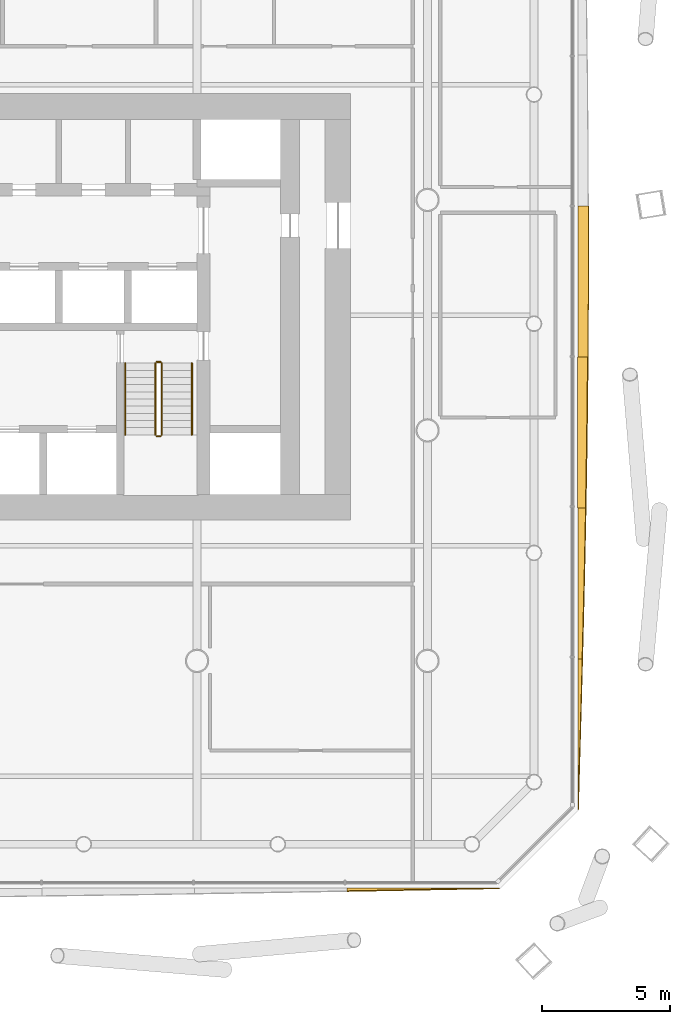
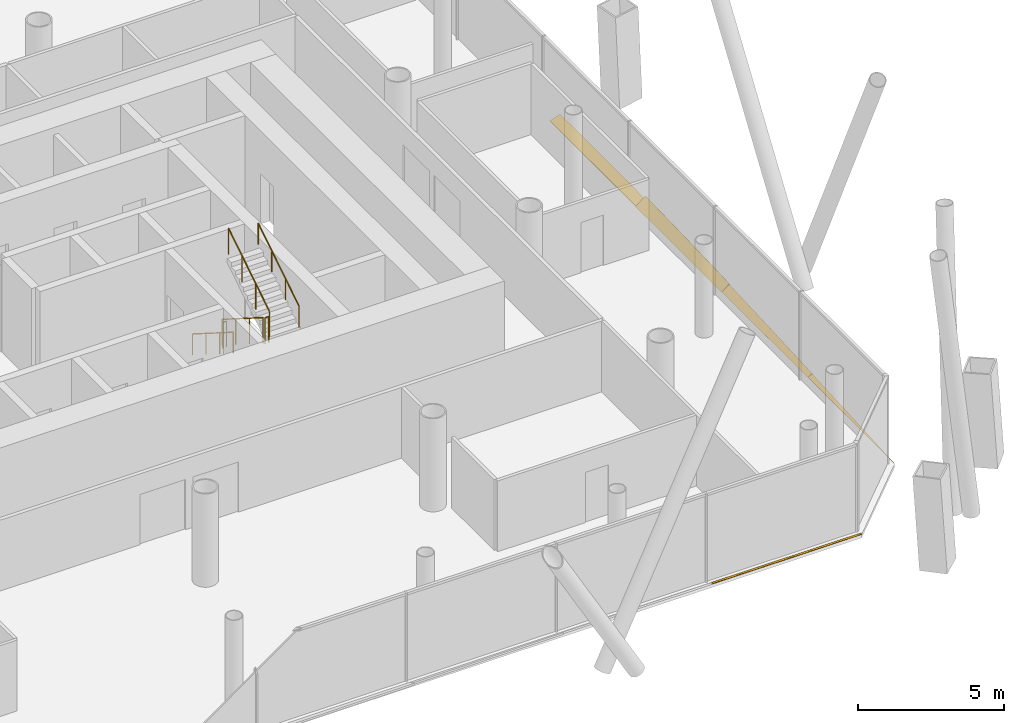
# One storey, part 23 of 25: 6 railings, 5 shading devices.
"""IFC4 building model written with IfcOpenShell, lengths in metres."""

from ifc_helpers import new_model, si_unit, direction, frame, origin, origin_2d, place, context, subcontext, project, spatial, polyline, circle, outline, extrude, material, layer, layer_set, type_object, element, save


model = new_model("IFC4")

# Units and contexts
model_context = context("Model", 3, precision=1e-05, world=origin(), true_north=direction((0.0, 1.0)))
body_context = subcontext(model_context, "Body", "Model", "MODEL_VIEW")
ifc_project = project(units=[si_unit("LENGTHUNIT", "METRE"), si_unit("AREAUNIT", "SQUARE_METRE"), si_unit("VOLUMEUNIT", "CUBIC_METRE"), si_unit("PLANEANGLEUNIT", "RADIAN"), si_unit("MASSUNIT", "GRAM", prefix="KILO")], contexts=[model_context])

# Site, building, storey
site_placement = place(None, origin())
site = spatial("IfcSite", under=ifc_project, at=site_placement, CompositionType="ELEMENT")
building_placement = place(site_placement, origin())
building = spatial("IfcBuilding", under=site, at=building_placement, Name="Tskaro Facet Tower", CompositionType="ELEMENT")
storey_placement = place(building_placement, frame((0.0, 0.0, 34.199951171875)))
storey = spatial("IfcBuildingStorey", under=building, at=storey_placement, Name="L07", CompositionType="ELEMENT", Elevation=34.199951171875)

# Shading devices
ifc_material_1 = material(Name="Bronze anodised aluminium 6063-T6", Category="aluminium")
ifc_layer = layer(ifc_material_1, 0.06005859375, Name="Bronze anodised aluminium 6063-T6")
ifc_layer_set = layer_set([ifc_layer], Name="Bronze anodised aluminium 6063-T6")
shading_device_type = type_object("IfcShadingDeviceType", Name="Bronze sun blade (FN1)", PredefinedType="USERDEFINED", material=ifc_layer_set)
shading_device_1_placement = place(storey_placement, frame((14.86279296875, -26.865478515625, 0.0458984375), z_axis=(-1.6836306e-05, 0.644193813469, 0.764862295061), x_axis=(0.999999999858, 1.0845844e-05, 1.2877455e-05)))
element("IfcShadingDevice", 1, at=shading_device_1_placement, inside=storey, type_object=shading_device_type, Name="Fin blade south 8", ObjectType="FIN", PredefinedType="USERDEFINED", context=body_context, shape_type="SweptSolid", body=[
    extrude(outline(polyline([(0.0, 0.0), (5.954101561656121, 0.0), (5.2099609398822455, -0.01835025578346356), (4.465576171691583, -0.03672997164544494), (3.7214355467737974, -0.05492295354864484), (2.9770507812310454, -0.07311593545184475), (2.2329101531693496, -0.091151643474781), (1.488525390274509, -0.1091578914191994), (0.7441406242357589, -0.12700686548335416), (-1.674024826572787e-09, -0.1445118317084638), (0.0, 0.0)])), origin(), (0.0, 0.0, -1.0), 0.06005859375),
])
shading_device_2_placement = place(storey_placement, frame((23.8740234375, -23.81689453125, 0.052001953125), z_axis=(-0.500206417645, 1.2374791e-05, 0.865906195609), x_axis=(6.18995e-06, 0.999999999923, -1.0715408e-05)))
element("IfcShadingDevice", 2, at=shading_device_2_placement, inside=storey, type_object=shading_device_type, Name="Fin blade east 1", ObjectType="FIN", PredefinedType="USERDEFINED", context=body_context, shape_type="SweptSolid", body=[
    extrude(outline(polyline([(0.0, 0.0), (5.894287108923688, 0.0), (5.894287109834925, -0.18999049618256553), (5.157470703082939, -0.16746071325594541), (4.420654295924585, -0.14438600386227615), (3.6838378898710777, -0.12097777088136119), (2.9472656255474, -0.09723601431320054), (2.2104492175763046, -0.07307145198543294), (1.4736328122212758, -0.04878476895022312), (0.736816406866247, -0.024498085915013297), (0.0, 0.0)])), origin(), (0.0, 0.0, -1.0), 0.06005859375),
])
shading_device_3_placement = place(storey_placement, frame((23.86962890625, -17.922607421875, 0.04931640625), z_axis=(-0.573398174341, -1.4185657e-05, 0.819276835668), x_axis=(-8.13403e-06, 0.999999999899, 1.162198e-05)))
element("IfcShadingDevice", 3, at=shading_device_3_placement, inside=storey, type_object=shading_device_type, Name="Fin blade east 2", ObjectType="FIN", PredefinedType="USERDEFINED", context=body_context, shape_type="SweptSolid", body=[
    extrude(outline(polyline([(0.0, 0.0), (5.8945312494069135, 0.0), (5.894531251231244, -0.3651342181219761), (5.157714843901214, -0.3477935487802193), (4.420898436002383, -0.3292328350375358), (3.684082031223694, -0.3099320752299967), (2.947265623890354, -0.28961128978025913), (2.2104492168397605, -0.26841046847699446), (1.4736328129093108, -0.24646960110887417), (0.7368164072757605, -0.22384871664595485), (-6.0890728579639e-11, -0.2005478150882365), (0.0, 0.0)])), origin(), (0.0, 0.0, -1.0), 0.06005859375),
])
shading_device_4_placement = place(storey_placement, frame((23.865478515625, -12.028076171875, 0.0458984375), z_axis=(-0.642968589847, -1.314605e-06, 0.765892546294), x_axis=(-8.45249e-07, 0.999999999999, 1.006846e-06)))
element("IfcShadingDevice", 4, at=shading_device_4_placement, inside=storey, type_object=shading_device_type, Name="Fin blade east 3", ObjectType="FIN", PredefinedType="USERDEFINED", context=body_context, shape_type="SweptSolid", body=[
    extrude(outline(polyline([(0.0, 0.0), (5.894531249994906, 0.0), (5.894531250135966, -0.49577145698945996), (5.1577148435982805, -0.48729941505338814), (4.420898437354957, -0.47742152143249816), (3.684082031405997, -0.46613777612678997), (2.9472656248470557, -0.4535082005993726), (2.21044921882829, -0.4396297481405178), (1.4736328124453544, -0.42456244021333445), (0.7368164063567822, -0.408089280601333), (1.4985323284661177e-10, -0.39058424027438376), (0.0, 0.0)])), origin(), (0.0, 0.0, -1.0), 0.06005859375),
])
shading_device_5_placement = place(storey_placement, frame((23.883544921875, -6.133544921875, 0.056396484375), z_axis=(-0.342148670764, -1.3658664e-05, 0.93964583057), x_axis=(-4.673294e-06, 0.999999999907, 1.2834307e-05)))
element("IfcShadingDevice", 5, at=shading_device_5_placement, inside=storey, type_object=shading_device_type, Name="Fin blade east 4", ObjectType="FIN", PredefinedType="USERDEFINED", context=body_context, shape_type="SweptSolid", body=[
    extrude(outline(polyline([(0.0, 0.0), (5.894531249450161, 0.0), (5.894531250975403, -0.4178343790976929), (5.157714841933357, -0.41983668964135834), (4.420898437455075, -0.42092137730352225), (3.9140625000023532, -0.42092137730352225), (3.684082031273806, -0.42092137730352225), (2.947265626522923, -0.4199202220316895), (2.210449216935677, -0.4177508467073618), (1.4736328130531353, -0.414434442781157), (0.736816405475171, -0.40972041308208174), (-6.724055657367013e-10, -0.40400522811117384), (0.0, 0.0)])), origin(), (0.0, 0.0, -1.0), 0.06005859375),
])

# Railings
ifc_material_2 = material(Name="Stainless steel", Category="steel")
railing_type_1 = type_object("IfcRailingType", Name="RL-GUARD-1100", PredefinedType="GUARDRAIL", material=ifc_material_2)
railing_1_placement = place(storey_placement, frame((7.375, -6.375, 0.17724609375)))
element("IfcRailing", 6, at=railing_1_placement, inside=storey, type_object=railing_type_1, Name="L07 ST-2 stair guard 1", PredefinedType="GUARDRAIL", context=body_context, shape_type="SweptSolid", body=[
    extrude(circle(Radius=0.02392578125, at=origin_2d()), frame((0.0, 0.0, 1.076171875), z_axis=(0.0, -0.844908973607, 0.534910110503), x_axis=(1.0, 0.0, 0.0)), (0.0, 0.0, 1.0), 3.31396484375),
    extrude(circle(Radius=0.02099609375, at=origin_2d()), origin(), (0.0, 0.0, 1.0), 1.052001953125),
    extrude(circle(Radius=0.02099609375, at=origin_2d()), frame((0.0, -0.933349609375, 0.5908203125)), (0.0, 0.0, 1.0), 1.052001953125),
    extrude(circle(Radius=0.02099609375, at=origin_2d()), frame((0.0, -1.86669921875, 1.181884765625)), (0.0, 0.0, 1.0), 1.052001953125),
    extrude(circle(Radius=0.02099609375, at=origin_2d()), frame((0.0, -2.800048828125, 1.772705078125)), (0.0, 0.0, 1.0), 1.052001953125),
])
railing_2_placement = place(storey_placement, frame((7.425048828125, -9.22509765625, 1.949951171875)))
element("IfcRailing", 7, at=railing_2_placement, inside=storey, type_object=railing_type_1, Name="L07 ST-2 stair guard 2", PredefinedType="GUARDRAIL", context=body_context, shape_type="SweptSolid", body=[
    extrude(circle(Radius=0.02392578125, at=origin_2d()), frame((0.0, 0.0, 1.076171875), z_axis=(1.0, 0.0, 0.0), x_axis=(0.0, 1.0, 0.0)), (0.0, 0.0, 1.0), 0.14990234375),
    extrude(circle(Radius=0.02099609375, at=origin_2d()), origin(), (0.0, 0.0, 1.0), 1.052001953125),
    extrude(circle(Radius=0.02099609375, at=origin_2d()), frame((0.14990234375, 0.0, 0.0)), (0.0, 0.0, 1.0), 1.052001953125),
])
railing_3_placement = place(storey_placement, frame((7.625, -9.175048828125, 2.12744140625)))
element("IfcRailing", 8, at=railing_3_placement, inside=storey, type_object=railing_type_1, Name="L07 ST-2 stair guard 3", PredefinedType="GUARDRAIL", context=body_context, shape_type="SweptSolid", body=[
    extrude(circle(Radius=0.02392578125, at=origin_2d()), frame((0.0, 0.0, 1.076171875), z_axis=(0.0, 0.844908973607, 0.534910110503), x_axis=(-1.0, 0.0, 0.0)), (0.0, 0.0, 1.0), 3.31396484375),
    extrude(circle(Radius=0.02099609375, at=origin_2d()), origin(), (0.0, 0.0, 1.0), 1.052001953125),
    extrude(circle(Radius=0.02099609375, at=origin_2d()), frame((0.0, 0.933349609375, 0.5908203125)), (0.0, 0.0, 1.0), 1.052001953125),
    extrude(circle(Radius=0.02099609375, at=origin_2d()), frame((0.0, 1.86669921875, 1.181884765625)), (0.0, 0.0, 1.0), 1.052001953125),
    extrude(circle(Radius=0.02099609375, at=origin_2d()), frame((0.0, 2.800048828125, 1.772705078125)), (0.0, 0.0, 1.0), 1.052001953125),
])
railing_4_placement = place(storey_placement, frame((7.425048828125, -6.324951171875, 0.0)))
element("IfcRailing", 9, at=railing_4_placement, inside=storey, type_object=railing_type_1, Name="L07 ST-2 stair guard 4", PredefinedType="GUARDRAIL", context=body_context, shape_type="SweptSolid", body=[
    extrude(circle(Radius=0.02392578125, at=origin_2d()), frame((0.0, 0.0, 1.076171875), z_axis=(1.0, 0.0, 0.0), x_axis=(0.0, 1.0, 0.0)), (0.0, 0.0, 1.0), 0.14990234375),
    extrude(circle(Radius=0.02099609375, at=origin_2d()), origin(), (0.0, 0.0, 1.0), 1.052001953125),
    extrude(circle(Radius=0.02099609375, at=origin_2d()), frame((0.14990234375, 0.0, 0.0)), (0.0, 0.0, 1.0), 1.052001953125),
])
railing_type_2 = type_object("IfcRailingType", Name="RL-HANDRAIL-900", PredefinedType="HANDRAIL", material=ifc_material_2)
railing_5_placement = place(storey_placement, frame((6.199951171875, -6.375, 0.17724609375)))
element("IfcRailing", 10, at=railing_5_placement, inside=storey, type_object=railing_type_2, Name="L07 ST-2 stair handrail 1", PredefinedType="HANDRAIL", context=body_context, shape_type="SweptSolid", body=[
    extrude(circle(Radius=0.02392578125, at=origin_2d()), frame((0.0, 0.0, 0.8759765625), z_axis=(0.0, -0.844908973607, 0.534910110503), x_axis=(1.0, 0.0, 0.0)), (0.0, 0.0, 1.0), 3.31396484375),
    extrude(circle(Radius=0.02099609375, at=origin_2d()), origin(), (0.0, 0.0, 1.0), 0.851806640625),
    extrude(circle(Radius=0.02099609375, at=origin_2d()), frame((0.0, -0.933349609375, 0.5908203125)), (0.0, 0.0, 1.0), 0.851806640625),
    extrude(circle(Radius=0.02099609375, at=origin_2d()), frame((0.0, -1.86669921875, 1.181884765625)), (0.0, 0.0, 1.0), 0.851806640625),
    extrude(circle(Radius=0.02099609375, at=origin_2d()), frame((0.0, -2.800048828125, 1.772705078125)), (0.0, 0.0, 1.0), 0.851806640625),
])
railing_6_placement = place(storey_placement, frame((8.800048828125, -9.175048828125, 2.12744140625)))
element("IfcRailing", 11, at=railing_6_placement, inside=storey, type_object=railing_type_2, Name="L07 ST-2 stair handrail 2", PredefinedType="HANDRAIL", context=body_context, shape_type="SweptSolid", body=[
    extrude(circle(Radius=0.02392578125, at=origin_2d()), frame((0.0, 0.0, 0.8759765625), z_axis=(0.0, 0.844908973607, 0.534910110503), x_axis=(-1.0, 0.0, 0.0)), (0.0, 0.0, 1.0), 3.31396484375),
    extrude(circle(Radius=0.02099609375, at=origin_2d()), origin(), (0.0, 0.0, 1.0), 0.851806640625),
    extrude(circle(Radius=0.02099609375, at=origin_2d()), frame((0.0, 0.933349609375, 0.5908203125)), (0.0, 0.0, 1.0), 0.851806640625),
    extrude(circle(Radius=0.02099609375, at=origin_2d()), frame((0.0, 1.86669921875, 1.181884765625)), (0.0, 0.0, 1.0), 0.851806640625),
    extrude(circle(Radius=0.02099609375, at=origin_2d()), frame((0.0, 2.800048828125, 1.772705078125)), (0.0, 0.0, 1.0), 0.851806640625),
])

save(model, "model.ifc")
